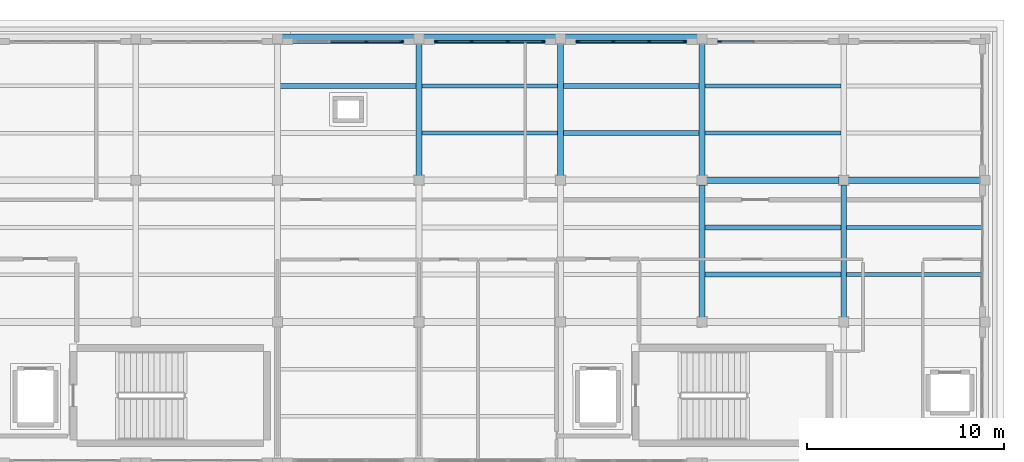
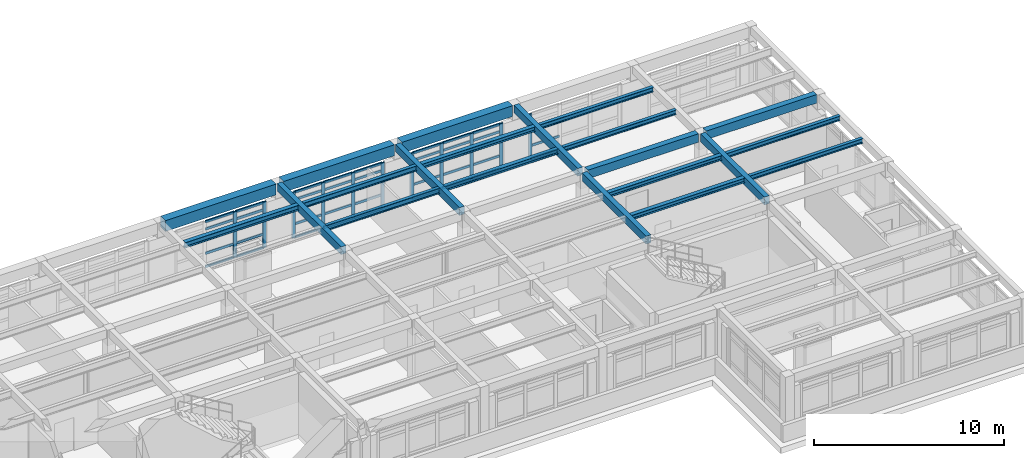
# One storey, part 8 of 20: 45 members, 21 beams, 4 elements without a shape of their own.
"""IFC4 building model written with IfcOpenShell, lengths in metres."""

from ifc_helpers import new_model, si_unit, direction, frame, origin, origin_2d, place, context, subcontext, project, spatial, rectangle, i_section, extrude, material, layer, layer_set, material_profile, profile_set, type_object, element, aggregate, save


model = new_model("IFC4")

# Units and contexts
model_context = context("Model", 3, precision=1e-05, world=origin(), true_north=direction((0.0, 1.0)))
body_context = subcontext(model_context, "Body", "Model", "MODEL_VIEW")
ifc_project = project(units=[si_unit("LENGTHUNIT", "METRE"), si_unit("AREAUNIT", "SQUARE_METRE"), si_unit("VOLUMEUNIT", "CUBIC_METRE"), si_unit("PLANEANGLEUNIT", "RADIAN"), si_unit("MASSUNIT", "GRAM", prefix="KILO")], contexts=[model_context])

# Site, building, storey
site_placement = place(None, origin())
site = spatial("IfcSite", under=ifc_project, at=site_placement, CompositionType="ELEMENT")
building_placement = place(site_placement, origin())
building = spatial("IfcBuilding", under=site, at=building_placement, Name="Solenvale Faculty of Natural Sciences", CompositionType="ELEMENT")
storey_placement = place(building_placement, frame((0.0, 0.0, 35.39990234375)))
storey = spatial("IfcBuildingStorey", under=building, at=storey_placement, Name="L08", CompositionType="ELEMENT", Elevation=35.39990234375)

# Beams
ifc_material_1 = material(Name="Concrete 40 MPa", Category="concrete")
ifc_material_profile_1 = material_profile(ifc_material_1, rectangle(XDim=0.300048828125, YDim=0.5, at=origin_2d()), Name="RC-BM-300x500")
ifc_profile_set_1 = profile_set([ifc_material_profile_1], Name="Concrete 40 MPa")
beam_type_1 = type_object("IfcBeamType", Name="BM-RC-300x500", PredefinedType="BEAM", material=ifc_profile_set_1)
for number, where, z_axis, x_axis, name in (
    (1, (122.39990234375, 108.22998046875, 3.670166015625), (0.0, 1.0, 0.0), (-1.0, 0.0, 0.0), "L08 Y-Girder X122.4 (108.0..115.2)"),
    (2, (129.60009765625, 108.22998046875, 3.670166015625), (0.0, 1.0, 0.0), (-1.0, 0.0, 0.0), "L08 Y-Girder X129.6 (108.0..115.2)"),
    (3, (136.800048828125, 101.030029296875, 3.670166015625), (0.0, 1.0, 0.0), (-1.0, 0.0, 0.0), "L08 Y-Girder X136.8 (100.8..108.0)"),
    (4, (136.800048828125, 108.22998046875, 3.670166015625), (0.0, 1.0, 0.0), (-1.0, 0.0, 0.0), "L08 Y-Girder X136.8 (108.0..115.2)"),
    (5, (144.0, 101.030029296875, 3.670166015625), (0.0, 1.0, 0.0), (-1.0, 0.0, 0.0), "L08 Y-Girder X144.0 (100.8..108.0)"),
):
    element("IfcBeam", number, at=place(storey_placement, frame(where, z_axis=z_axis, x_axis=x_axis)), inside=storey, type_object=beam_type_1, Name=name, PredefinedType="BEAM", context=body_context, shape_type="SweptSolid", body=[
        extrude(rectangle(XDim=0.300048828125, YDim=0.5, at=origin_2d()), origin(), (0.0, 0.0, 1.0), 6.739990234375),
    ])
ifc_material_profile_2 = material_profile(ifc_material_1, rectangle(XDim=0.35009765625, YDim=0.550048828125, at=origin_2d()), Name="RC-BM-350x550")
ifc_profile_set_2 = profile_set([ifc_material_profile_2], Name="Concrete 40 MPa")
beam_type_2 = type_object("IfcBeamType", Name="BM-RC-350x550", PredefinedType="BEAM", material=ifc_profile_set_2)
for number, where, z_axis, x_axis, name in (
    (6, (137.030029296875, 108.0, 3.64501953125), (1.0, 0.0, 0.0), (0.0, 1.0, 0.0), "L08 X-Girder Y108.0 (136.8..144.0)"),
    (7, (144.22998046875, 108.0, 3.64501953125), (1.0, 0.0, 0.0), (0.0, 1.0, 0.0), "L08 X-Girder Y108.0 (144.0..151.2)"),
):
    element("IfcBeam", number, at=place(storey_placement, frame(where, z_axis=z_axis, x_axis=x_axis)), inside=storey, type_object=beam_type_2, Name=name, PredefinedType="BEAM", context=body_context, shape_type="SweptSolid", body=[
        extrude(rectangle(XDim=0.35009765625, YDim=0.550048828125, at=origin_2d()), origin(), (0.0, 0.0, 1.0), 6.739990234375),
    ])
ifc_material_2 = material(Name="Precast concrete 40 MPa", Category="concrete")
ifc_material_profile_3 = material_profile(ifc_material_2, rectangle(XDim=0.5, YDim=0.699951171875, at=origin_2d()), Name="RC-BM-500x700")
ifc_profile_set_3 = profile_set([ifc_material_profile_3], Name="Precast concrete 40 MPa")
beam_type_3 = type_object("IfcBeamType", Name="BM-SPN-PRC-700", PredefinedType="SPANDREL", material=ifc_profile_set_3)
beam_1_placement = place(storey_placement, frame((115.429931640625, 115.199951171875, 3.570068359375), z_axis=(1.0, 0.0, 0.0), x_axis=(0.0, 1.0, 0.0)))
element("IfcBeam", 8, at=beam_1_placement, inside=storey, type_object=beam_type_3, Name="L08 X-Girder Y115.2 (115.2..122.4)", PredefinedType="SPANDREL", context=body_context, shape_type="SweptSolid", body=[
    extrude(rectangle(XDim=0.5, YDim=0.699951171875, at=origin_2d()), origin(), (0.0, 0.0, 1.0), 6.739990234375),
])
beam_2_placement = place(storey_placement, frame((122.6298828125, 115.199951171875, 3.570068359375), z_axis=(1.0, 0.0, 0.0), x_axis=(0.0, 1.0, 0.0)))
element("IfcBeam", 9, at=beam_2_placement, inside=storey, type_object=beam_type_3, Name="L08 X-Girder Y115.2 (122.4..129.6)", PredefinedType="SPANDREL", context=body_context, shape_type="SweptSolid", body=[
    extrude(rectangle(XDim=0.5, YDim=0.699951171875, at=origin_2d()), origin(), (0.0, 0.0, 1.0), 6.740234375),
])
beam_3_placement = place(storey_placement, frame((129.830078125, 115.199951171875, 3.570068359375), z_axis=(1.0, 0.0, 0.0), x_axis=(0.0, 1.0, 0.0)))
element("IfcBeam", 10, at=beam_3_placement, inside=storey, type_object=beam_type_3, Name="L08 X-Girder Y115.2 (129.6..136.8)", PredefinedType="SPANDREL", context=body_context, shape_type="SweptSolid", body=[
    extrude(rectangle(XDim=0.5, YDim=0.699951171875, at=origin_2d()), origin(), (0.0, 0.0, 1.0), 6.739990234375),
])
ifc_material_3 = material(Name="Steel S355", Category="steel")
ifc_material_profile_4 = material_profile(ifc_material_3, i_section(OverallWidth=0.202880859375, OverallDepth=0.302978515625, WebThickness=0.007568359375, FlangeThickness=0.01318359375, FilletRadius=0.014892578125, at=origin_2d()), Name="W310x60")
ifc_profile_set_4 = profile_set([ifc_material_profile_4], Name="Steel S355")
beam_type_4 = type_object("IfcBeamType", Name="BM-STL-W310x60", PredefinedType="JOIST", material=ifc_profile_set_4)
for number, where, z_axis, x_axis, name in (
    (11, (136.929931640625, 110.39990234375, 3.7685546875), (1.0, 0.0, 0.0), (0.0, 1.0, 0.0), "L08 Composite Floor Joist (20,16).1"),
    (12, (136.929931640625, 112.800048828125, 3.7685546875), (1.0, 0.0, 0.0), (0.0, 1.0, 0.0), "L08 Composite Floor Joist (20,16).2"),
    (13, (144.1298828125, 103.199951171875, 3.7685546875), (1.0, 0.0, 0.0), (0.0, 1.0, 0.0), "L08 Composite Floor Joist (21,15).1"),
    (14, (144.1298828125, 105.60009765625, 3.7685546875), (1.0, 0.0, 0.0), (0.0, 1.0, 0.0), "L08 Composite Floor Joist (21,15).2"),
):
    element("IfcBeam", number, at=place(storey_placement, frame(where, z_axis=z_axis, x_axis=x_axis)), inside=storey, type_object=beam_type_4, Name=name, PredefinedType="JOIST", context=body_context, shape_type="SweptSolid", body=[
        extrude(i_section(OverallWidth=0.202880859375, OverallDepth=0.302978515625, WebThickness=0.007568359375, FlangeThickness=0.01318359375, FilletRadius=0.014892578125, at=origin_2d()), origin(), (0.0, 0.0, 1.0), 6.940185546875),
    ])
ifc_material_profile_5 = material_profile(ifc_material_3, i_section(OverallWidth=0.25390625, OverallDepth=0.305908203125, WebThickness=0.0087890625, FlangeThickness=0.0146484375, FilletRadius=0.014892578125, at=origin_2d()), Name="W310x79")
ifc_profile_set_5 = profile_set([ifc_material_profile_5], Name="Steel S355")
beam_type_5 = type_object("IfcBeamType", Name="BM-STL-W310x79", PredefinedType="JOIST", material=ifc_profile_set_5)
for number, where, z_axis, x_axis, name in (
    (15, (129.72998046875, 110.39990234375, 3.76708984375), (1.0, 0.0, 0.0), (0.0, 1.0, 0.0), "L08 Composite Floor Joist (19,16).1"),
    (16, (129.72998046875, 112.800048828125, 3.76708984375), (1.0, 0.0, 0.0), (0.0, 1.0, 0.0), "L08 Composite Floor Joist (19,16).2"),
):
    element("IfcBeam", number, at=place(storey_placement, frame(where, z_axis=z_axis, x_axis=x_axis)), inside=storey, type_object=beam_type_5, Name=name, PredefinedType="JOIST", context=body_context, shape_type="SweptSolid", body=[
        extrude(i_section(OverallWidth=0.25390625, OverallDepth=0.305908203125, WebThickness=0.0087890625, FlangeThickness=0.0146484375, FilletRadius=0.014892578125, at=origin_2d()), origin(), (0.0, 0.0, 1.0), 6.93994140625),
    ])
for number, where, z_axis, x_axis, name in (
    (17, (136.929931640625, 103.199951171875, 3.76708984375), (1.0, 0.0, 0.0), (0.0, 1.0, 0.0), "L08 Composite Floor Joist (20,15).1"),
    (18, (136.929931640625, 105.60009765625, 3.76708984375), (1.0, 0.0, 0.0), (0.0, 1.0, 0.0), "L08 Composite Floor Joist (20,15).2"),
):
    element("IfcBeam", number, at=place(storey_placement, frame(where, z_axis=z_axis, x_axis=x_axis)), inside=storey, type_object=beam_type_5, Name=name, PredefinedType="JOIST", context=body_context, shape_type="SweptSolid", body=[
        extrude(i_section(OverallWidth=0.25390625, OverallDepth=0.305908203125, WebThickness=0.0087890625, FlangeThickness=0.0146484375, FilletRadius=0.014892578125, at=origin_2d()), origin(), (0.0, 0.0, 1.0), 6.940185546875),
    ])
ifc_material_profile_6 = material_profile(ifc_material_3, i_section(OverallWidth=0.2548828125, OverallDepth=0.35693359375, WebThickness=0.010498046875, FlangeThickness=0.018310546875, FilletRadius=0.014892578125, at=origin_2d()), Name="W360x101")
ifc_profile_set_6 = profile_set([ifc_material_profile_6], Name="Steel S355")
beam_type_6 = type_object("IfcBeamType", Name="BM-STL-W360x101", PredefinedType="JOIST", material=ifc_profile_set_6)
beam_4_placement = place(storey_placement, frame((115.330078125, 112.800048828125, 3.74169921875), z_axis=(1.0, 0.0, 0.0), x_axis=(0.0, 1.0, 0.0)))
element("IfcBeam", 19, at=beam_4_placement, inside=storey, type_object=beam_type_6, Name="L08 Composite Floor Joist (17,16).2", PredefinedType="JOIST", context=body_context, shape_type="SweptSolid", body=[
    extrude(i_section(OverallWidth=0.2548828125, OverallDepth=0.35693359375, WebThickness=0.010498046875, FlangeThickness=0.018310546875, FilletRadius=0.014892578125, at=origin_2d()), origin(), (0.0, 0.0, 1.0), 6.93994140625),
])
ifc_material_profile_7 = material_profile(ifc_material_3, i_section(OverallWidth=0.2041015625, OverallDepth=0.35009765625, WebThickness=0.008544921875, FlangeThickness=0.01513671875, FilletRadius=0.014892578125, at=origin_2d()), Name="W360x72")
ifc_profile_set_7 = profile_set([ifc_material_profile_7], Name="Steel S355")
beam_type_7 = type_object("IfcBeamType", Name="BM-STL-W360x72", PredefinedType="JOIST", material=ifc_profile_set_7)
for number, where, z_axis, x_axis, name in (
    (20, (122.530029296875, 110.39990234375, 3.7451171875), (1.0, 0.0, 0.0), (0.0, 1.0, 0.0), "L08 Composite Floor Joist (18,16).1"),
    (21, (122.530029296875, 112.800048828125, 3.7451171875), (1.0, 0.0, 0.0), (0.0, 1.0, 0.0), "L08 Composite Floor Joist (18,16).2"),
):
    element("IfcBeam", number, at=place(storey_placement, frame(where, z_axis=z_axis, x_axis=x_axis)), inside=storey, type_object=beam_type_7, Name=name, PredefinedType="JOIST", context=body_context, shape_type="SweptSolid", body=[
        extrude(i_section(OverallWidth=0.2041015625, OverallDepth=0.35009765625, WebThickness=0.008544921875, FlangeThickness=0.01513671875, FilletRadius=0.014892578125, at=origin_2d()), origin(), (0.0, 0.0, 1.0), 6.93994140625),
    ])

# Curtain wall, member
ifc_material_4 = material(Name="Anodised bronze aluminium", Category="aluminium")
ifc_layer = layer(ifc_material_4, 0.179931640625)
ifc_layer_set = layer_set([ifc_layer], Name="Anodised bronze aluminium")
curtain_wall_type = type_object("IfcCurtainWallType", Name="CW-TWR-MOD", PredefinedType="USERDEFINED", material=ifc_layer_set)
curtain_wall_1_placement = place(storey_placement, origin())
curtain_wall_1 = element("IfcCurtainWall", 22, at=curtain_wall_1_placement, inside=storey, type_object=curtain_wall_type, Name="L08 Curtain Wall CW-L08-P1-E2-B2", ObjectType="UNITISED CURTAIN WALL", PredefinedType="USERDEFINED")
ifc_material_profile_8 = material_profile(ifc_material_4, rectangle(XDim=0.074951171875, YDim=0.2099609375, at=origin_2d()), Name="ALU-MUL-75x210")
ifc_profile_set_8 = profile_set([ifc_material_profile_8], Name="Anodised bronze aluminium")
member_type_1 = type_object("IfcMemberType", Name="CWM-ALU-75x210", PredefinedType="MULLION", material=ifc_profile_set_8)
member_1_placement = place(storey_placement, frame((137.6875, 115.0576171875, 0.0), z_axis=(0.0, 0.0, 1.0), x_axis=(0.0, -1.0, 0.0)))
member_1 = element("IfcMember", 23, at=member_1_placement, type_object=member_type_1, Name="CW-04 mullion 4", PredefinedType="MULLION", context=body_context, shape_type="SweptSolid", body=[
    extrude(rectangle(XDim=0.074951171875, YDim=0.2099609375, at=origin_2d()), origin(), (0.0, 0.0, 1.0), 2.960205078125),
])

# Curtain wall, members
curtain_wall_2_placement = place(storey_placement, origin())
curtain_wall_2 = element("IfcCurtainWall", 24, at=curtain_wall_2_placement, inside=storey, type_object=curtain_wall_type, Name="L08 Curtain Wall CW-L08-P1-E2-B3", ObjectType="UNITISED CURTAIN WALL", PredefinedType="USERDEFINED")
member_2_placement = place(storey_placement, frame((135.91259765625, 115.0576171875, 0.0), z_axis=(0.0, 0.0, 1.0), x_axis=(0.0, -1.0, 0.0)))
member_2 = element("IfcMember", 25, at=member_2_placement, type_object=member_type_1, Name="CW-04 mullion 1", PredefinedType="MULLION", context=body_context, shape_type="SweptSolid", body=[
    extrude(rectangle(XDim=0.074951171875, YDim=0.2099609375, at=origin_2d()), origin(), (0.0, 0.0, 1.0), 2.960205078125),
])
member_3_placement = place(storey_placement, frame((134.11669921875, 115.0576171875, 0.0), z_axis=(0.0, 0.0, 1.0), x_axis=(0.0, -1.0, 0.0)))
member_3 = element("IfcMember", 26, at=member_3_placement, type_object=member_type_1, Name="CW-04 mullion 2", PredefinedType="MULLION", context=body_context, shape_type="SweptSolid", body=[
    extrude(rectangle(XDim=0.074951171875, YDim=0.2099609375, at=origin_2d()), origin(), (0.0, 0.0, 1.0), 2.960205078125),
])
member_4_placement = place(storey_placement, frame((132.283447265625, 115.0576171875, 0.0), z_axis=(0.0, 0.0, 1.0), x_axis=(0.0, -1.0, 0.0)))
member_4 = element("IfcMember", 27, at=member_4_placement, type_object=member_type_1, Name="CW-04 mullion 3", PredefinedType="MULLION", context=body_context, shape_type="SweptSolid", body=[
    extrude(rectangle(XDim=0.074951171875, YDim=0.2099609375, at=origin_2d()), origin(), (0.0, 0.0, 1.0), 2.960205078125),
])
member_5_placement = place(storey_placement, frame((130.487548828125, 115.0576171875, 0.0), z_axis=(0.0, 0.0, 1.0), x_axis=(0.0, -1.0, 0.0)))
member_5 = element("IfcMember", 28, at=member_5_placement, type_object=member_type_1, Name="CW-04 mullion 4", PredefinedType="MULLION", context=body_context, shape_type="SweptSolid", body=[
    extrude(rectangle(XDim=0.074951171875, YDim=0.2099609375, at=origin_2d()), origin(), (0.0, 0.0, 1.0), 2.960205078125),
])

curtain_wall_3_placement = place(storey_placement, origin())
curtain_wall_3 = element("IfcCurtainWall", 29, at=curtain_wall_3_placement, inside=storey, type_object=curtain_wall_type, Name="L08 Curtain Wall CW-L08-P1-E2-B4", ObjectType="UNITISED CURTAIN WALL", PredefinedType="USERDEFINED")
member_6_placement = place(storey_placement, frame((128.71240234375, 115.0576171875, 0.0), z_axis=(0.0, 0.0, 1.0), x_axis=(0.0, -1.0, 0.0)))
member_6 = element("IfcMember", 30, at=member_6_placement, type_object=member_type_1, Name="CW-04 mullion 1", PredefinedType="MULLION", context=body_context, shape_type="SweptSolid", body=[
    extrude(rectangle(XDim=0.074951171875, YDim=0.2099609375, at=origin_2d()), origin(), (0.0, 0.0, 1.0), 2.960205078125),
])
member_7_placement = place(storey_placement, frame((126.916748046875, 115.0576171875, 0.0), z_axis=(0.0, 0.0, 1.0), x_axis=(0.0, -1.0, 0.0)))
member_7 = element("IfcMember", 31, at=member_7_placement, type_object=member_type_1, Name="CW-04 mullion 2", PredefinedType="MULLION", context=body_context, shape_type="SweptSolid", body=[
    extrude(rectangle(XDim=0.074951171875, YDim=0.2099609375, at=origin_2d()), origin(), (0.0, 0.0, 1.0), 2.960205078125),
])
member_8_placement = place(storey_placement, frame((125.083251953125, 115.0576171875, 0.0), z_axis=(0.0, 0.0, 1.0), x_axis=(0.0, -1.0, 0.0)))
member_8 = element("IfcMember", 32, at=member_8_placement, type_object=member_type_1, Name="CW-04 mullion 3", PredefinedType="MULLION", context=body_context, shape_type="SweptSolid", body=[
    extrude(rectangle(XDim=0.074951171875, YDim=0.2099609375, at=origin_2d()), origin(), (0.0, 0.0, 1.0), 2.960205078125),
])
member_9_placement = place(storey_placement, frame((123.28759765625, 115.0576171875, 0.0), z_axis=(0.0, 0.0, 1.0), x_axis=(0.0, -1.0, 0.0)))
member_9 = element("IfcMember", 33, at=member_9_placement, type_object=member_type_1, Name="CW-04 mullion 4", PredefinedType="MULLION", context=body_context, shape_type="SweptSolid", body=[
    extrude(rectangle(XDim=0.074951171875, YDim=0.2099609375, at=origin_2d()), origin(), (0.0, 0.0, 1.0), 2.960205078125),
])

curtain_wall_4_placement = place(storey_placement, origin())
curtain_wall_4 = element("IfcCurtainWall", 34, at=curtain_wall_4_placement, inside=storey, type_object=curtain_wall_type, Name="L08 Curtain Wall CW-L08-P1-E2-B5", ObjectType="UNITISED CURTAIN WALL", PredefinedType="USERDEFINED")
member_10_placement = place(storey_placement, frame((121.512451171875, 115.0576171875, 0.0), z_axis=(0.0, 0.0, 1.0), x_axis=(0.0, -1.0, 0.0)))
member_10 = element("IfcMember", 35, at=member_10_placement, type_object=member_type_1, Name="CW-04 mullion 1", PredefinedType="MULLION", context=body_context, shape_type="SweptSolid", body=[
    extrude(rectangle(XDim=0.074951171875, YDim=0.2099609375, at=origin_2d()), origin(), (0.0, 0.0, 1.0), 2.960205078125),
])
member_11_placement = place(storey_placement, frame((119.716552734375, 115.0576171875, 0.0), z_axis=(0.0, 0.0, 1.0), x_axis=(0.0, -1.0, 0.0)))
member_11 = element("IfcMember", 36, at=member_11_placement, type_object=member_type_1, Name="CW-04 mullion 2", PredefinedType="MULLION", context=body_context, shape_type="SweptSolid", body=[
    extrude(rectangle(XDim=0.074951171875, YDim=0.2099609375, at=origin_2d()), origin(), (0.0, 0.0, 1.0), 2.960205078125),
])

# Member
ifc_material_profile_9 = material_profile(ifc_material_4, rectangle(XDim=0.074951171875, YDim=0.155029296875, at=origin_2d()), Name="ALU-TRN-75x155")
ifc_profile_set_9 = profile_set([ifc_material_profile_9], Name="Anodised bronze aluminium")
member_type_2 = type_object("IfcMemberType", Name="CWT-ALU-75x155", PredefinedType="USERDEFINED", material=ifc_profile_set_9)
member_12_placement = place(storey_placement, frame((139.44580078125, 115.0576171875, 0.03759765625), z_axis=(-1.0, 0.0, 0.0), x_axis=(0.0, -1.0, 0.0)))
member_12 = element("IfcMember", 37, at=member_12_placement, type_object=member_type_2, Name="CW-04 transom 3.1", ObjectType="TRANSOM", PredefinedType="USERDEFINED", context=body_context, shape_type="SweptSolid", body=[
    extrude(rectangle(XDim=0.074951171875, YDim=0.155029296875, at=origin_2d()), origin(), (0.0, 0.0, 1.0), 1.720703125),
])

member_13_placement = place(storey_placement, frame((139.44580078125, 115.0576171875, 0.900146484375), z_axis=(-1.0, 0.0, 0.0), x_axis=(0.0, -1.0, 0.0)))
member_13 = element("IfcMember", 38, at=member_13_placement, type_object=member_type_2, Name="CW-04 transom 3.2", ObjectType="TRANSOM", PredefinedType="USERDEFINED", context=body_context, shape_type="SweptSolid", body=[
    extrude(rectangle(XDim=0.074951171875, YDim=0.155029296875, at=origin_2d()), origin(), (0.0, 0.0, 1.0), 1.720703125),
])

aggregate(curtain_wall_1, [member_1, member_12, member_13])

member_14_placement = place(storey_placement, frame((135.875, 115.0576171875, 0.03759765625), z_axis=(-1.0, 0.0, 0.0), x_axis=(0.0, -1.0, 0.0)))
member_14 = element("IfcMember", 39, at=member_14_placement, type_object=member_type_2, Name="CW-04 transom 1.1", ObjectType="TRANSOM", PredefinedType="USERDEFINED", context=body_context, shape_type="SweptSolid", body=[
    extrude(rectangle(XDim=0.074951171875, YDim=0.155029296875, at=origin_2d()), origin(), (0.0, 0.0, 1.0), 1.720947265625),
])

member_15_placement = place(storey_placement, frame((135.875, 115.0576171875, 0.900146484375), z_axis=(-1.0, 0.0, 0.0), x_axis=(0.0, -1.0, 0.0)))
member_15 = element("IfcMember", 40, at=member_15_placement, type_object=member_type_2, Name="CW-04 transom 1.2", ObjectType="TRANSOM", PredefinedType="USERDEFINED", context=body_context, shape_type="SweptSolid", body=[
    extrude(rectangle(XDim=0.074951171875, YDim=0.155029296875, at=origin_2d()), origin(), (0.0, 0.0, 1.0), 1.720947265625),
])

member_16_placement = place(storey_placement, frame((135.875, 115.0576171875, 2.460205078125), z_axis=(-1.0, 0.0, 0.0), x_axis=(0.0, -1.0, 0.0)))
member_16 = element("IfcMember", 41, at=member_16_placement, type_object=member_type_2, Name="CW-04 transom 1.3", ObjectType="TRANSOM", PredefinedType="USERDEFINED", context=body_context, shape_type="SweptSolid", body=[
    extrude(rectangle(XDim=0.074951171875, YDim=0.155029296875, at=origin_2d()), origin(), (0.0, 0.0, 1.0), 1.720947265625),
])

member_17_placement = place(storey_placement, frame((135.875, 115.0576171875, 2.922607421875), z_axis=(-1.0, 0.0, 0.0), x_axis=(0.0, -1.0, 0.0)))
member_17 = element("IfcMember", 42, at=member_17_placement, type_object=member_type_2, Name="CW-04 transom 1.4", ObjectType="TRANSOM", PredefinedType="USERDEFINED", context=body_context, shape_type="SweptSolid", body=[
    extrude(rectangle(XDim=0.074951171875, YDim=0.155029296875, at=origin_2d()), origin(), (0.0, 0.0, 1.0), 1.720947265625),
])

member_18_placement = place(storey_placement, frame((134.0791015625, 115.0576171875, 0.03759765625), z_axis=(-1.0, 0.0, 0.0), x_axis=(0.0, -1.0, 0.0)))
member_18 = element("IfcMember", 43, at=member_18_placement, type_object=member_type_2, Name="CW-04 transom 2.1", ObjectType="TRANSOM", PredefinedType="USERDEFINED", context=body_context, shape_type="SweptSolid", body=[
    extrude(rectangle(XDim=0.074951171875, YDim=0.155029296875, at=origin_2d()), origin(), (0.0, 0.0, 1.0), 1.75830078125),
])

member_19_placement = place(storey_placement, frame((134.0791015625, 115.0576171875, 0.900146484375), z_axis=(-1.0, 0.0, 0.0), x_axis=(0.0, -1.0, 0.0)))
member_19 = element("IfcMember", 44, at=member_19_placement, type_object=member_type_2, Name="CW-04 transom 2.2", ObjectType="TRANSOM", PredefinedType="USERDEFINED", context=body_context, shape_type="SweptSolid", body=[
    extrude(rectangle(XDim=0.074951171875, YDim=0.155029296875, at=origin_2d()), origin(), (0.0, 0.0, 1.0), 1.75830078125),
])

member_20_placement = place(storey_placement, frame((134.0791015625, 115.0576171875, 2.460205078125), z_axis=(-1.0, 0.0, 0.0), x_axis=(0.0, -1.0, 0.0)))
member_20 = element("IfcMember", 45, at=member_20_placement, type_object=member_type_2, Name="CW-04 transom 2.3", ObjectType="TRANSOM", PredefinedType="USERDEFINED", context=body_context, shape_type="SweptSolid", body=[
    extrude(rectangle(XDim=0.074951171875, YDim=0.155029296875, at=origin_2d()), origin(), (0.0, 0.0, 1.0), 1.75830078125),
])

member_21_placement = place(storey_placement, frame((134.0791015625, 115.0576171875, 2.922607421875), z_axis=(-1.0, 0.0, 0.0), x_axis=(0.0, -1.0, 0.0)))
member_21 = element("IfcMember", 46, at=member_21_placement, type_object=member_type_2, Name="CW-04 transom 2.4", ObjectType="TRANSOM", PredefinedType="USERDEFINED", context=body_context, shape_type="SweptSolid", body=[
    extrude(rectangle(XDim=0.074951171875, YDim=0.155029296875, at=origin_2d()), origin(), (0.0, 0.0, 1.0), 1.75830078125),
])

member_22_placement = place(storey_placement, frame((132.245849609375, 115.0576171875, 0.03759765625), z_axis=(-1.0, 0.0, 0.0), x_axis=(0.0, -1.0, 0.0)))
member_22 = element("IfcMember", 47, at=member_22_placement, type_object=member_type_2, Name="CW-04 transom 3.1", ObjectType="TRANSOM", PredefinedType="USERDEFINED", context=body_context, shape_type="SweptSolid", body=[
    extrude(rectangle(XDim=0.074951171875, YDim=0.155029296875, at=origin_2d()), origin(), (0.0, 0.0, 1.0), 1.720947265625),
])

member_23_placement = place(storey_placement, frame((132.245849609375, 115.0576171875, 0.900146484375), z_axis=(-1.0, 0.0, 0.0), x_axis=(0.0, -1.0, 0.0)))
member_23 = element("IfcMember", 48, at=member_23_placement, type_object=member_type_2, Name="CW-04 transom 3.2", ObjectType="TRANSOM", PredefinedType="USERDEFINED", context=body_context, shape_type="SweptSolid", body=[
    extrude(rectangle(XDim=0.074951171875, YDim=0.155029296875, at=origin_2d()), origin(), (0.0, 0.0, 1.0), 1.720947265625),
])

member_24_placement = place(storey_placement, frame((132.245849609375, 115.0576171875, 2.460205078125), z_axis=(-1.0, 0.0, 0.0), x_axis=(0.0, -1.0, 0.0)))
member_24 = element("IfcMember", 49, at=member_24_placement, type_object=member_type_2, Name="CW-04 transom 3.3", ObjectType="TRANSOM", PredefinedType="USERDEFINED", context=body_context, shape_type="SweptSolid", body=[
    extrude(rectangle(XDim=0.074951171875, YDim=0.155029296875, at=origin_2d()), origin(), (0.0, 0.0, 1.0), 1.720947265625),
])

member_25_placement = place(storey_placement, frame((132.245849609375, 115.0576171875, 2.922607421875), z_axis=(-1.0, 0.0, 0.0), x_axis=(0.0, -1.0, 0.0)))
member_25 = element("IfcMember", 50, at=member_25_placement, type_object=member_type_2, Name="CW-04 transom 3.4", ObjectType="TRANSOM", PredefinedType="USERDEFINED", context=body_context, shape_type="SweptSolid", body=[
    extrude(rectangle(XDim=0.074951171875, YDim=0.155029296875, at=origin_2d()), origin(), (0.0, 0.0, 1.0), 1.720947265625),
])

aggregate(curtain_wall_2, [member_2, member_3, member_4, member_5, member_14, member_15, member_16, member_17, member_18, member_19, member_20, member_21, member_22, member_23, member_24, member_25])

member_26_placement = place(storey_placement, frame((128.675048828125, 115.0576171875, 0.03759765625), z_axis=(-1.0, 0.0, 0.0), x_axis=(0.0, -1.0, 0.0)))
member_26 = element("IfcMember", 51, at=member_26_placement, type_object=member_type_2, Name="CW-04 transom 1.1", ObjectType="TRANSOM", PredefinedType="USERDEFINED", context=body_context, shape_type="SweptSolid", body=[
    extrude(rectangle(XDim=0.074951171875, YDim=0.155029296875, at=origin_2d()), origin(), (0.0, 0.0, 1.0), 1.720947265625),
])

member_27_placement = place(storey_placement, frame((128.675048828125, 115.0576171875, 0.900146484375), z_axis=(-1.0, 0.0, 0.0), x_axis=(0.0, -1.0, 0.0)))
member_27 = element("IfcMember", 52, at=member_27_placement, type_object=member_type_2, Name="CW-04 transom 1.2", ObjectType="TRANSOM", PredefinedType="USERDEFINED", context=body_context, shape_type="SweptSolid", body=[
    extrude(rectangle(XDim=0.074951171875, YDim=0.155029296875, at=origin_2d()), origin(), (0.0, 0.0, 1.0), 1.720947265625),
])

member_28_placement = place(storey_placement, frame((128.675048828125, 115.0576171875, 2.460205078125), z_axis=(-1.0, 0.0, 0.0), x_axis=(0.0, -1.0, 0.0)))
member_28 = element("IfcMember", 53, at=member_28_placement, type_object=member_type_2, Name="CW-04 transom 1.3", ObjectType="TRANSOM", PredefinedType="USERDEFINED", context=body_context, shape_type="SweptSolid", body=[
    extrude(rectangle(XDim=0.074951171875, YDim=0.155029296875, at=origin_2d()), origin(), (0.0, 0.0, 1.0), 1.720947265625),
])

member_29_placement = place(storey_placement, frame((128.675048828125, 115.0576171875, 2.922607421875), z_axis=(-1.0, 0.0, 0.0), x_axis=(0.0, -1.0, 0.0)))
member_29 = element("IfcMember", 54, at=member_29_placement, type_object=member_type_2, Name="CW-04 transom 1.4", ObjectType="TRANSOM", PredefinedType="USERDEFINED", context=body_context, shape_type="SweptSolid", body=[
    extrude(rectangle(XDim=0.074951171875, YDim=0.155029296875, at=origin_2d()), origin(), (0.0, 0.0, 1.0), 1.720947265625),
])

member_30_placement = place(storey_placement, frame((126.879150390625, 115.0576171875, 0.03759765625), z_axis=(-1.0, 0.0, 0.0), x_axis=(0.0, -1.0, 0.0)))
member_30 = element("IfcMember", 55, at=member_30_placement, type_object=member_type_2, Name="CW-04 transom 2.1", ObjectType="TRANSOM", PredefinedType="USERDEFINED", context=body_context, shape_type="SweptSolid", body=[
    extrude(rectangle(XDim=0.074951171875, YDim=0.155029296875, at=origin_2d()), origin(), (0.0, 0.0, 1.0), 1.75830078125),
])

member_31_placement = place(storey_placement, frame((126.879150390625, 115.0576171875, 0.900146484375), z_axis=(-1.0, 0.0, 0.0), x_axis=(0.0, -1.0, 0.0)))
member_31 = element("IfcMember", 56, at=member_31_placement, type_object=member_type_2, Name="CW-04 transom 2.2", ObjectType="TRANSOM", PredefinedType="USERDEFINED", context=body_context, shape_type="SweptSolid", body=[
    extrude(rectangle(XDim=0.074951171875, YDim=0.155029296875, at=origin_2d()), origin(), (0.0, 0.0, 1.0), 1.75830078125),
])

member_32_placement = place(storey_placement, frame((126.879150390625, 115.0576171875, 2.460205078125), z_axis=(-1.0, 0.0, 0.0), x_axis=(0.0, -1.0, 0.0)))
member_32 = element("IfcMember", 57, at=member_32_placement, type_object=member_type_2, Name="CW-04 transom 2.3", ObjectType="TRANSOM", PredefinedType="USERDEFINED", context=body_context, shape_type="SweptSolid", body=[
    extrude(rectangle(XDim=0.074951171875, YDim=0.155029296875, at=origin_2d()), origin(), (0.0, 0.0, 1.0), 1.75830078125),
])

member_33_placement = place(storey_placement, frame((126.879150390625, 115.0576171875, 2.922607421875), z_axis=(-1.0, 0.0, 0.0), x_axis=(0.0, -1.0, 0.0)))
member_33 = element("IfcMember", 58, at=member_33_placement, type_object=member_type_2, Name="CW-04 transom 2.4", ObjectType="TRANSOM", PredefinedType="USERDEFINED", context=body_context, shape_type="SweptSolid", body=[
    extrude(rectangle(XDim=0.074951171875, YDim=0.155029296875, at=origin_2d()), origin(), (0.0, 0.0, 1.0), 1.75830078125),
])

member_34_placement = place(storey_placement, frame((125.0458984375, 115.0576171875, 0.03759765625), z_axis=(-1.0, 0.0, 0.0), x_axis=(0.0, -1.0, 0.0)))
member_34 = element("IfcMember", 59, at=member_34_placement, type_object=member_type_2, Name="CW-04 transom 3.1", ObjectType="TRANSOM", PredefinedType="USERDEFINED", context=body_context, shape_type="SweptSolid", body=[
    extrude(rectangle(XDim=0.074951171875, YDim=0.155029296875, at=origin_2d()), origin(), (0.0, 0.0, 1.0), 1.720947265625),
])

member_35_placement = place(storey_placement, frame((125.0458984375, 115.0576171875, 0.900146484375), z_axis=(-1.0, 0.0, 0.0), x_axis=(0.0, -1.0, 0.0)))
member_35 = element("IfcMember", 60, at=member_35_placement, type_object=member_type_2, Name="CW-04 transom 3.2", ObjectType="TRANSOM", PredefinedType="USERDEFINED", context=body_context, shape_type="SweptSolid", body=[
    extrude(rectangle(XDim=0.074951171875, YDim=0.155029296875, at=origin_2d()), origin(), (0.0, 0.0, 1.0), 1.720947265625),
])

member_36_placement = place(storey_placement, frame((125.0458984375, 115.0576171875, 2.460205078125), z_axis=(-1.0, 0.0, 0.0), x_axis=(0.0, -1.0, 0.0)))
member_36 = element("IfcMember", 61, at=member_36_placement, type_object=member_type_2, Name="CW-04 transom 3.3", ObjectType="TRANSOM", PredefinedType="USERDEFINED", context=body_context, shape_type="SweptSolid", body=[
    extrude(rectangle(XDim=0.074951171875, YDim=0.155029296875, at=origin_2d()), origin(), (0.0, 0.0, 1.0), 1.720947265625),
])

member_37_placement = place(storey_placement, frame((125.0458984375, 115.0576171875, 2.922607421875), z_axis=(-1.0, 0.0, 0.0), x_axis=(0.0, -1.0, 0.0)))
member_37 = element("IfcMember", 62, at=member_37_placement, type_object=member_type_2, Name="CW-04 transom 3.4", ObjectType="TRANSOM", PredefinedType="USERDEFINED", context=body_context, shape_type="SweptSolid", body=[
    extrude(rectangle(XDim=0.074951171875, YDim=0.155029296875, at=origin_2d()), origin(), (0.0, 0.0, 1.0), 1.720947265625),
])

aggregate(curtain_wall_3, [member_6, member_7, member_8, member_9, member_26, member_27, member_28, member_29, member_30, member_31, member_32, member_33, member_34, member_35, member_36, member_37])

member_38_placement = place(storey_placement, frame((121.47509765625, 115.0576171875, 0.03759765625), z_axis=(-1.0, 0.0, 0.0), x_axis=(0.0, -1.0, 0.0)))
member_38 = element("IfcMember", 63, at=member_38_placement, type_object=member_type_2, Name="CW-04 transom 1.1", ObjectType="TRANSOM", PredefinedType="USERDEFINED", context=body_context, shape_type="SweptSolid", body=[
    extrude(rectangle(XDim=0.074951171875, YDim=0.155029296875, at=origin_2d()), origin(), (0.0, 0.0, 1.0), 1.720947265625),
])

member_39_placement = place(storey_placement, frame((121.47509765625, 115.0576171875, 0.900146484375), z_axis=(-1.0, 0.0, 0.0), x_axis=(0.0, -1.0, 0.0)))
member_39 = element("IfcMember", 64, at=member_39_placement, type_object=member_type_2, Name="CW-04 transom 1.2", ObjectType="TRANSOM", PredefinedType="USERDEFINED", context=body_context, shape_type="SweptSolid", body=[
    extrude(rectangle(XDim=0.074951171875, YDim=0.155029296875, at=origin_2d()), origin(), (0.0, 0.0, 1.0), 1.720947265625),
])

member_40_placement = place(storey_placement, frame((121.47509765625, 115.0576171875, 2.460205078125), z_axis=(-1.0, 0.0, 0.0), x_axis=(0.0, -1.0, 0.0)))
member_40 = element("IfcMember", 65, at=member_40_placement, type_object=member_type_2, Name="CW-04 transom 1.3", ObjectType="TRANSOM", PredefinedType="USERDEFINED", context=body_context, shape_type="SweptSolid", body=[
    extrude(rectangle(XDim=0.074951171875, YDim=0.155029296875, at=origin_2d()), origin(), (0.0, 0.0, 1.0), 1.720947265625),
])

member_41_placement = place(storey_placement, frame((121.47509765625, 115.0576171875, 2.922607421875), z_axis=(-1.0, 0.0, 0.0), x_axis=(0.0, -1.0, 0.0)))
member_41 = element("IfcMember", 66, at=member_41_placement, type_object=member_type_2, Name="CW-04 transom 1.4", ObjectType="TRANSOM", PredefinedType="USERDEFINED", context=body_context, shape_type="SweptSolid", body=[
    extrude(rectangle(XDim=0.074951171875, YDim=0.155029296875, at=origin_2d()), origin(), (0.0, 0.0, 1.0), 1.720947265625),
])

member_42_placement = place(storey_placement, frame((119.67919921875, 115.0576171875, 0.03759765625), z_axis=(-1.0, 0.0, 0.0), x_axis=(0.0, -1.0, 0.0)))
member_42 = element("IfcMember", 67, at=member_42_placement, type_object=member_type_2, Name="CW-04 transom 2.1", ObjectType="TRANSOM", PredefinedType="USERDEFINED", context=body_context, shape_type="SweptSolid", body=[
    extrude(rectangle(XDim=0.074951171875, YDim=0.155029296875, at=origin_2d()), origin(), (0.0, 0.0, 1.0), 1.75830078125),
])

member_43_placement = place(storey_placement, frame((119.67919921875, 115.0576171875, 0.900146484375), z_axis=(-1.0, 0.0, 0.0), x_axis=(0.0, -1.0, 0.0)))
member_43 = element("IfcMember", 68, at=member_43_placement, type_object=member_type_2, Name="CW-04 transom 2.2", ObjectType="TRANSOM", PredefinedType="USERDEFINED", context=body_context, shape_type="SweptSolid", body=[
    extrude(rectangle(XDim=0.074951171875, YDim=0.155029296875, at=origin_2d()), origin(), (0.0, 0.0, 1.0), 1.75830078125),
])

member_44_placement = place(storey_placement, frame((119.67919921875, 115.0576171875, 2.460205078125), z_axis=(-1.0, 0.0, 0.0), x_axis=(0.0, -1.0, 0.0)))
member_44 = element("IfcMember", 69, at=member_44_placement, type_object=member_type_2, Name="CW-04 transom 2.3", ObjectType="TRANSOM", PredefinedType="USERDEFINED", context=body_context, shape_type="SweptSolid", body=[
    extrude(rectangle(XDim=0.074951171875, YDim=0.155029296875, at=origin_2d()), origin(), (0.0, 0.0, 1.0), 1.75830078125),
])

member_45_placement = place(storey_placement, frame((119.67919921875, 115.0576171875, 2.922607421875), z_axis=(-1.0, 0.0, 0.0), x_axis=(0.0, -1.0, 0.0)))
member_45 = element("IfcMember", 70, at=member_45_placement, type_object=member_type_2, Name="CW-04 transom 2.4", ObjectType="TRANSOM", PredefinedType="USERDEFINED", context=body_context, shape_type="SweptSolid", body=[
    extrude(rectangle(XDim=0.074951171875, YDim=0.155029296875, at=origin_2d()), origin(), (0.0, 0.0, 1.0), 1.75830078125),
])

aggregate(curtain_wall_4, [member_10, member_11, member_38, member_39, member_40, member_41, member_42, member_43, member_44, member_45])

save(model, "model.ifc")
